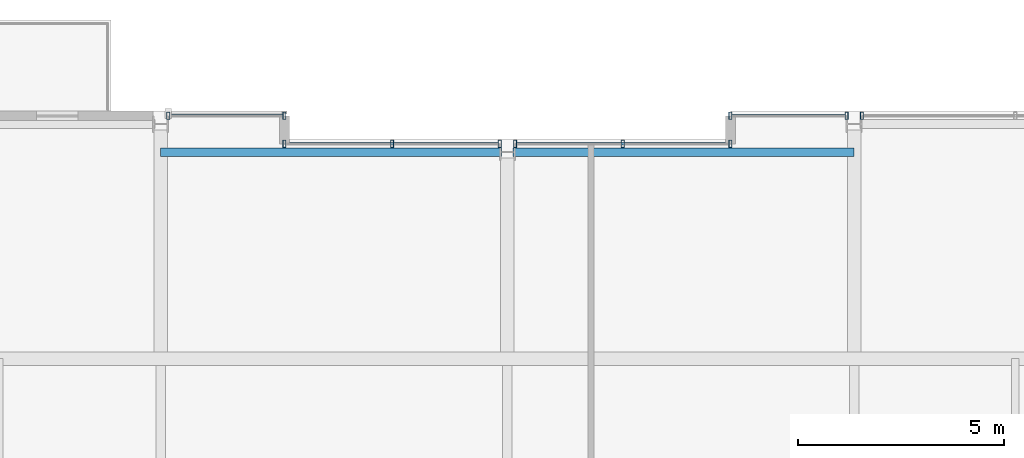
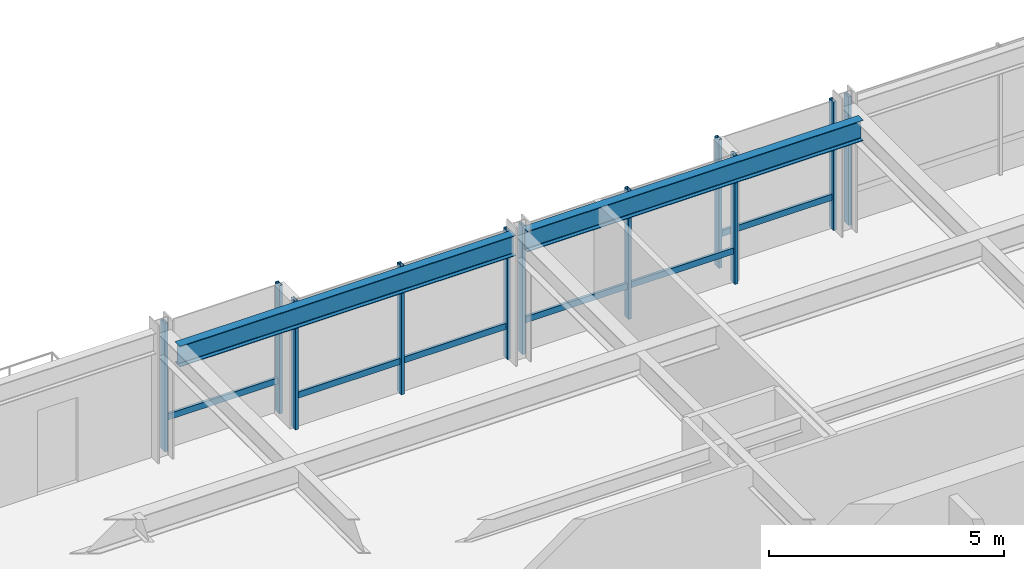
# One storey, part 20 of 30: 15 members, 2 beams, 5 elements without a shape of their own.
"""IFC4 building model written with IfcOpenShell, lengths in metres."""

from ifc_helpers import new_model, si_unit, direction, frame, origin, origin_2d, place, context, subcontext, project, spatial, hollow_rectangle, i_section, extrude, material, layer, layer_set, material_profile, profile_set, type_object, element, aggregate, save


model = new_model("IFC4")

# Units and contexts
model_context = context("Model", 3, precision=1e-05, world=origin(), true_north=direction((0.0, 1.0)))
body_context = subcontext(model_context, "Body", "Model", "MODEL_VIEW")
ifc_project = project(units=[si_unit("LENGTHUNIT", "METRE"), si_unit("AREAUNIT", "SQUARE_METRE"), si_unit("VOLUMEUNIT", "CUBIC_METRE"), si_unit("PLANEANGLEUNIT", "RADIAN"), si_unit("MASSUNIT", "GRAM", prefix="KILO")], contexts=[model_context])

# Site, building, storey
site_placement = place(None, origin())
site = spatial("IfcSite", under=ifc_project, at=site_placement, CompositionType="ELEMENT")
building_placement = place(site_placement, origin())
building = spatial("IfcBuilding", under=site, at=building_placement, Name="Drelvath Grand Hotel", CompositionType="ELEMENT")
storey_placement = place(building_placement, frame((0.0, 0.0, 215.89990234375)))
storey = spatial("IfcBuildingStorey", under=building, at=storey_placement, Name="L56", CompositionType="ELEMENT", Elevation=215.89990234375)

# Curtain wall, member
ifc_material_1 = material(Name="Platinum-Mist Anodised Aluminium Frame", Category="aluminium")
ifc_layer = layer(ifc_material_1, 0.199951171875)
ifc_layer_set = layer_set([ifc_layer], Name="Platinum-Mist Anodised Aluminium Frame")
curtain_wall_type = type_object("IfcCurtainWallType", Name="Stick Curtain Wall CW-05 Platinum Mist High-Rise", PredefinedType="NOTDEFINED", material=ifc_layer_set)
curtain_wall_1_placement = place(storey_placement, origin())
curtain_wall_1 = element("IfcCurtainWall", 1, at=curtain_wall_1_placement, inside=storey, type_object=curtain_wall_type, Name="L56 CW-05 Curtain Wall CW05-L56-NW3", PredefinedType="NOTDEFINED")
ifc_material_profile_1 = material_profile(ifc_material_1, hollow_rectangle(XDim=0.06494140625, YDim=0.159912109375, WallThickness=0.00390625, at=origin_2d()), Name="HSS160X65X4")
ifc_profile_set_1 = profile_set([ifc_material_profile_1], Name="Platinum-Mist Anodised Aluminium Frame")
member_type_1 = type_object("IfcMemberType", Name="Curtain Wall Horizontal Transom CW-05 HSS160X65X4", PredefinedType="USERDEFINED", material=ifc_profile_set_1)
member_1_placement = place(storey_placement, frame((-8.1748046875, 49.080078125, 0.835205078125), z_axis=(1.0, 0.0, 0.0), x_axis=(0.0, 1.0, 0.0)))
member_1 = element("IfcMember", 2, at=member_1_placement, type_object=member_type_1, Name="CW05-L56-NW3 Sill Transom", ObjectType="TRANSOM", PredefinedType="USERDEFINED", context=body_context, shape_type="SweptSolid", body=[
    extrude(hollow_rectangle(XDim=0.06494140625, YDim=0.159912109375, WallThickness=0.00390625, at=origin_2d()), origin(), (0.0, 0.0, 1.0), 2.73486328125),
])

curtain_wall_2_placement = place(storey_placement, origin())
curtain_wall_2 = element("IfcCurtainWall", 3, at=curtain_wall_2_placement, inside=storey, type_object=curtain_wall_type, Name="L56 CW-05 Curtain Wall CW05-L56-NM1", PredefinedType="NOTDEFINED")
member_2_placement = place(storey_placement, frame((-5.360107421875, 48.39990234375, 0.835205078125), z_axis=(1.0, 0.0, 0.0), x_axis=(0.0, 1.0, 0.0)))
member_2 = element("IfcMember", 4, at=member_2_placement, type_object=member_type_1, Name="CW05-L56-NM1 Sill Transom", ObjectType="TRANSOM", PredefinedType="USERDEFINED", context=body_context, shape_type="SweptSolid", body=[
    extrude(hollow_rectangle(XDim=0.06494140625, YDim=0.159912109375, WallThickness=0.00390625, at=origin_2d()), origin(), (0.0, 0.0, 1.0), 5.134765625),
])

curtain_wall_3_placement = place(storey_placement, origin())
curtain_wall_3 = element("IfcCurtainWall", 5, at=curtain_wall_3_placement, inside=storey, type_object=curtain_wall_type, Name="L56 CW-05 Curtain Wall CW05-L56-NM2", PredefinedType="NOTDEFINED")
member_3_placement = place(storey_placement, frame((0.225341796875, 48.39990234375, 0.835205078125), z_axis=(1.0, 0.0, 0.0), x_axis=(0.0, 1.0, 0.0)))
member_3 = element("IfcMember", 6, at=member_3_placement, type_object=member_type_1, Name="CW05-L56-NM2 Sill Transom", ObjectType="TRANSOM", PredefinedType="USERDEFINED", context=body_context, shape_type="SweptSolid", body=[
    extrude(hollow_rectangle(XDim=0.06494140625, YDim=0.159912109375, WallThickness=0.00390625, at=origin_2d()), origin(), (0.0, 0.0, 1.0), 5.134765625),
])

curtain_wall_4_placement = place(storey_placement, origin())
curtain_wall_4 = element("IfcCurtainWall", 7, at=curtain_wall_4_placement, inside=storey, type_object=curtain_wall_type, Name="L56 CW-05 Curtain Wall CW05-L56-NE1", PredefinedType="NOTDEFINED")
member_4_placement = place(storey_placement, frame((5.43994140625, 49.080078125, 0.835205078125), z_axis=(1.0, 0.0, 0.0), x_axis=(0.0, 1.0, 0.0)))
member_4 = element("IfcMember", 8, at=member_4_placement, type_object=member_type_1, Name="CW05-L56-NE1 Sill Transom", ObjectType="TRANSOM", PredefinedType="USERDEFINED", context=body_context, shape_type="SweptSolid", body=[
    extrude(hollow_rectangle(XDim=0.06494140625, YDim=0.159912109375, WallThickness=0.00390625, at=origin_2d()), origin(), (0.0, 0.0, 1.0), 2.73486328125),
])

# Member
ifc_material_profile_2 = material_profile(ifc_material_1, hollow_rectangle(XDim=0.074951171875, YDim=0.179931640625, WallThickness=0.0048828125, at=origin_2d()), Name="HSS180X75X5")
ifc_profile_set_2 = profile_set([ifc_material_profile_2], Name="Platinum-Mist Anodised Aluminium Frame")
member_type_2 = type_object("IfcMemberType", Name="Curtain Wall Vertical Mullion CW-05 HSS180X75X5", PredefinedType="MULLION", material=ifc_profile_set_2)
member_5_placement = place(storey_placement, frame((-8.214599609375, 49.080078125, 0.0), z_axis=(0.0, 0.0, 1.0), x_axis=(1.0, 0.0, 0.0)))
member_5 = element("IfcMember", 9, at=member_5_placement, type_object=member_type_2, Name="CW05-L56-NW3 Mullion 1", PredefinedType="MULLION", context=body_context, shape_type="SweptSolid", body=[
    extrude(hollow_rectangle(XDim=0.074951171875, YDim=0.179931640625, WallThickness=0.0048828125, at=origin_2d()), origin(), (0.0, 0.0, 1.0), 3.340087890625),
])

member_6_placement = place(storey_placement, frame((-5.39990234375, 49.080078125, 0.0), z_axis=(0.0, 0.0, 1.0), x_axis=(1.0, 0.0, 0.0)))
member_6 = element("IfcMember", 10, at=member_6_placement, type_object=member_type_2, Name="CW05-L56-NW3 Mullion 2", PredefinedType="MULLION", context=body_context, shape_type="SweptSolid", body=[
    extrude(hollow_rectangle(XDim=0.074951171875, YDim=0.179931640625, WallThickness=0.0048828125, at=origin_2d()), origin(), (0.0, 0.0, 1.0), 3.340087890625),
])

aggregate(curtain_wall_1, [member_5, member_6, member_1])

member_7_placement = place(storey_placement, frame((-5.39990234375, 48.39990234375, 0.0), z_axis=(0.0, 0.0, 1.0), x_axis=(1.0, 0.0, 0.0)))
member_7 = element("IfcMember", 11, at=member_7_placement, type_object=member_type_2, Name="CW05-L56-NM1 Mullion 1", PredefinedType="MULLION", context=body_context, shape_type="SweptSolid", body=[
    extrude(hollow_rectangle(XDim=0.074951171875, YDim=0.179931640625, WallThickness=0.0048828125, at=origin_2d()), origin(), (0.0, 0.0, 1.0), 3.340087890625),
])

member_8_placement = place(storey_placement, frame((-2.792724609375, 48.39990234375, 0.0), z_axis=(0.0, 0.0, 1.0), x_axis=(1.0, 0.0, 0.0)))
member_8 = element("IfcMember", 12, at=member_8_placement, type_object=member_type_2, Name="CW05-L56-NM1 Mullion 2", PredefinedType="MULLION", context=body_context, shape_type="SweptSolid", body=[
    extrude(hollow_rectangle(XDim=0.074951171875, YDim=0.179931640625, WallThickness=0.0048828125, at=origin_2d()), origin(), (0.0, 0.0, 1.0), 3.340087890625),
])

member_9_placement = place(storey_placement, frame((-0.185302734375, 48.39990234375, 0.0), z_axis=(0.0, 0.0, 1.0), x_axis=(1.0, 0.0, 0.0)))
member_9 = element("IfcMember", 13, at=member_9_placement, type_object=member_type_2, Name="CW05-L56-NM1 Mullion 3", PredefinedType="MULLION", context=body_context, shape_type="SweptSolid", body=[
    extrude(hollow_rectangle(XDim=0.074951171875, YDim=0.179931640625, WallThickness=0.0048828125, at=origin_2d()), origin(), (0.0, 0.0, 1.0), 3.340087890625),
])

aggregate(curtain_wall_2, [member_7, member_8, member_9, member_2])

member_10_placement = place(storey_placement, frame((0.185302734375, 48.39990234375, 0.0), z_axis=(0.0, 0.0, 1.0), x_axis=(1.0, 0.0, 0.0)))
member_10 = element("IfcMember", 14, at=member_10_placement, type_object=member_type_2, Name="CW05-L56-NM2 Mullion 1", PredefinedType="MULLION", context=body_context, shape_type="SweptSolid", body=[
    extrude(hollow_rectangle(XDim=0.074951171875, YDim=0.179931640625, WallThickness=0.0048828125, at=origin_2d()), origin(), (0.0, 0.0, 1.0), 3.340087890625),
])

member_11_placement = place(storey_placement, frame((2.792724609375, 48.39990234375, 0.0), z_axis=(0.0, 0.0, 1.0), x_axis=(1.0, 0.0, 0.0)))
member_11 = element("IfcMember", 15, at=member_11_placement, type_object=member_type_2, Name="CW05-L56-NM2 Mullion 2", PredefinedType="MULLION", context=body_context, shape_type="SweptSolid", body=[
    extrude(hollow_rectangle(XDim=0.074951171875, YDim=0.179931640625, WallThickness=0.0048828125, at=origin_2d()), origin(), (0.0, 0.0, 1.0), 3.340087890625),
])

member_12_placement = place(storey_placement, frame((5.39990234375, 48.39990234375, 0.0), z_axis=(0.0, 0.0, 1.0), x_axis=(1.0, 0.0, 0.0)))
member_12 = element("IfcMember", 16, at=member_12_placement, type_object=member_type_2, Name="CW05-L56-NM2 Mullion 3", PredefinedType="MULLION", context=body_context, shape_type="SweptSolid", body=[
    extrude(hollow_rectangle(XDim=0.074951171875, YDim=0.179931640625, WallThickness=0.0048828125, at=origin_2d()), origin(), (0.0, 0.0, 1.0), 3.340087890625),
])

aggregate(curtain_wall_3, [member_10, member_11, member_12, member_3])

member_13_placement = place(storey_placement, frame((5.39990234375, 49.080078125, 0.0), z_axis=(0.0, 0.0, 1.0), x_axis=(1.0, 0.0, 0.0)))
member_13 = element("IfcMember", 17, at=member_13_placement, type_object=member_type_2, Name="CW05-L56-NE1 Mullion 1", PredefinedType="MULLION", context=body_context, shape_type="SweptSolid", body=[
    extrude(hollow_rectangle(XDim=0.074951171875, YDim=0.179931640625, WallThickness=0.0048828125, at=origin_2d()), origin(), (0.0, 0.0, 1.0), 3.340087890625),
])

member_14_placement = place(storey_placement, frame((8.214599609375, 49.080078125, 0.0), z_axis=(0.0, 0.0, 1.0), x_axis=(1.0, 0.0, 0.0)))
member_14 = element("IfcMember", 18, at=member_14_placement, type_object=member_type_2, Name="CW05-L56-NE1 Mullion 2", PredefinedType="MULLION", context=body_context, shape_type="SweptSolid", body=[
    extrude(hollow_rectangle(XDim=0.074951171875, YDim=0.179931640625, WallThickness=0.0048828125, at=origin_2d()), origin(), (0.0, 0.0, 1.0), 3.340087890625),
])

aggregate(curtain_wall_4, [member_13, member_14, member_4])

# Curtain wall, member
curtain_wall_5_placement = place(storey_placement, origin())
curtain_wall_5 = element("IfcCurtainWall", 19, at=curtain_wall_5_placement, inside=storey, type_object=curtain_wall_type, Name="L56 CW-05 Curtain Wall CW05-L56-NE2", PredefinedType="NOTDEFINED")
member_15_placement = place(storey_placement, frame((8.585205078125, 49.080078125, 0.0), z_axis=(0.0, 0.0, 1.0), x_axis=(1.0, 0.0, 0.0)))
member_15 = element("IfcMember", 20, at=member_15_placement, type_object=member_type_2, Name="CW05-L56-NE2 Mullion 1", PredefinedType="MULLION", context=body_context, shape_type="SweptSolid", body=[
    extrude(hollow_rectangle(XDim=0.074951171875, YDim=0.179931640625, WallThickness=0.0048828125, at=origin_2d()), origin(), (0.0, 0.0, 1.0), 3.340087890625),
])
aggregate(curtain_wall_5, [member_15])

# Beams
ifc_material_2 = material(Name="Steel ASTM A992 Gr 50", Category="steel")
ifc_material_profile_3 = material_profile(ifc_material_2, i_section(OverallWidth=0.210205078125, OverallDepth=0.53662109375, WebThickness=0.010986328125, FlangeThickness=0.017333984375, FilletRadius=0.01806640625, at=origin_2d()), Name="W21X68")
ifc_profile_set_3 = profile_set([ifc_material_profile_3], Name="Steel ASTM A992 Gr 50")
beam_type = type_object("IfcBeamType", Name="Perimeter Spandrel Beam W21X68", PredefinedType="SPANDREL", material=ifc_profile_set_3)
for number, where, z_axis, x_axis, name in (
    (21, (-8.39990234375, 48.199951171875, 3.07177734375), (1.0, 0.0, 0.0), (0.0, 1.0, 0.0), "L56 Spandrel North Mid W"),
    (22, (0.139892578125, 48.199951171875, 3.07177734375), (1.0, 0.0, 0.0), (0.0, 1.0, 0.0), "L56 Spandrel North Mid E"),
):
    element("IfcBeam", number, at=place(storey_placement, frame(where, z_axis=z_axis, x_axis=x_axis)), inside=storey, type_object=beam_type, Name=name, PredefinedType="SPANDREL", context=body_context, shape_type="SweptSolid", body=[
        extrude(i_section(OverallWidth=0.210205078125, OverallDepth=0.53662109375, WebThickness=0.010986328125, FlangeThickness=0.017333984375, FilletRadius=0.01806640625, at=origin_2d()), origin(), (0.0, 0.0, 1.0), 8.260009765625),
    ])

save(model, "model.ifc")
